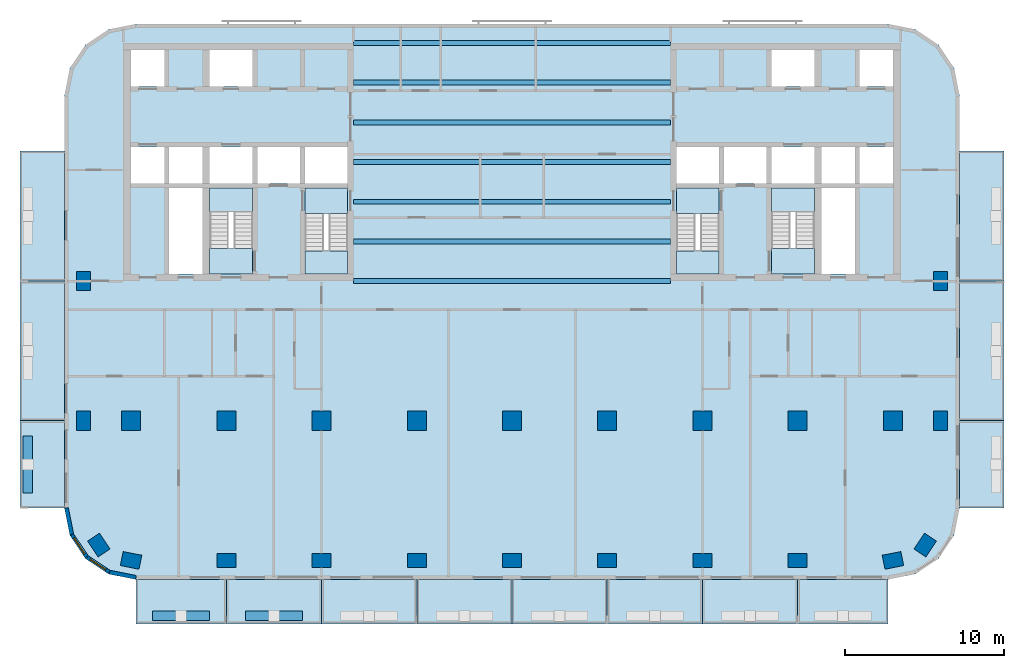
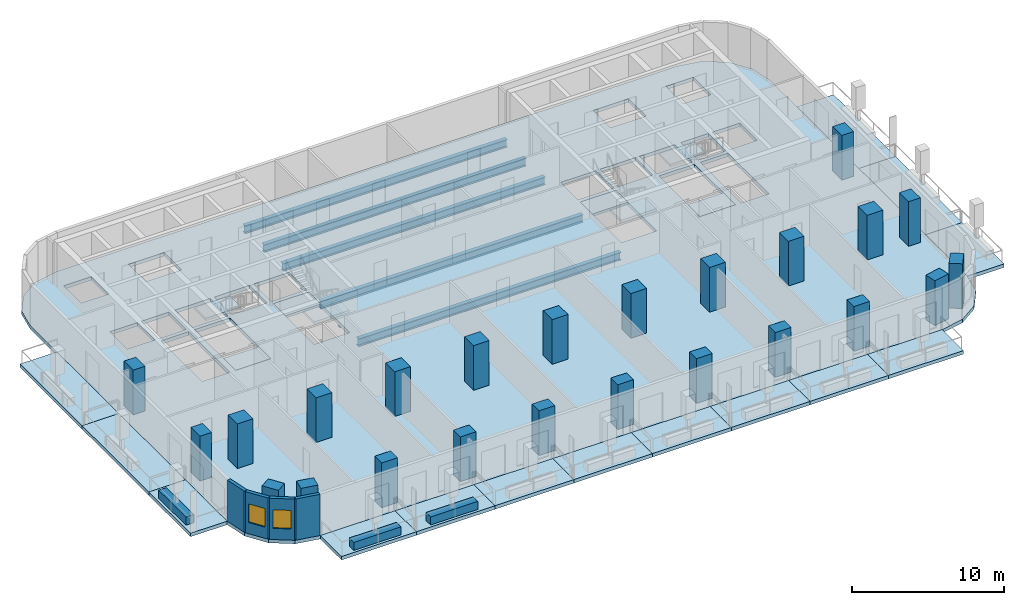
# One storey, part 1 of 11: 24 columns, 23 slabs, 7 beams, 7 walls, 2 windows, 2 openings, 4 elements without a shape of their own.
"""IFC4 building model written with IfcOpenShell, lengths in metres."""

import ifcopenshell
import ifcopenshell.guid

model = None  # the IFC model being written
_history = None  # IfcOwnerHistory: only IFC2X3 demands one
_inside = {}  # id of a spatial element -> (the spatial element, [elements in it])
_under = {}  # id of a project, library or spatial element -> (it, [spatial elements below it])
_declared = {}  # id of a project -> (the project, [libraries it declares])
_typed = {}  # id of a type object -> (the type object, [elements of that type])
_made_of = {}  # id of a material, layer set ... -> (it, [elements and type objects made of it])


def new_model(schema):
    """Start an empty IFC model of exactly this schema.

    Asked for "IFC4X3", IfcOpenShell would pick the latest addendum, in which some entities
    have other attributes; the version numbers below select the first issue.
    IFC2X3 requires an IfcOwnerHistory on every rooted entity: one is made here for all.
    """
    global model, _history
    if schema == "IFC4X3":
        model = ifcopenshell.file(schema_version=(4, 3, 0, 0))
    else:
        model = ifcopenshell.file(schema=schema)
    _inside.clear()
    _under.clear()
    _declared.clear()
    _typed.clear()
    _made_of.clear()
    _history = None
    if model.schema == "IFC2X3":
        org = make("IfcOrganization", Name="unknown")
        user = make(
            "IfcPersonAndOrganization",
            ThePerson=make("IfcPerson", FamilyName="unknown"),
            TheOrganization=org,
        )
        app = make(
            "IfcApplication",
            ApplicationDeveloper=org,
            Version="unknown",
            ApplicationFullName="unknown",
            ApplicationIdentifier="unknown",
        )
        _history = make(
            "IfcOwnerHistory",
            OwningUser=user,
            OwningApplication=app,
            ChangeAction="ADDED",
            CreationDate=0,
        )
    return model


def make(cls, **values):
    """One entity of the class cls with the attributes given. An attribute that is None is left unset."""
    return model.create_entity(
        cls, **{name: value for name, value in values.items() if value is not None}
    )


def rooted(cls, **values):
    """An entity with a GlobalId (a new one), such as an element, a storey or a relation."""
    return make(cls, GlobalId=ifcopenshell.guid.new(), OwnerHistory=_history, **values)


def si_unit(unit_type, name, prefix=None):
    """IfcSIUnit, for example si_unit("LENGTHUNIT", "METRE", prefix="MILLI")."""
    return make("IfcSIUnit", UnitType=unit_type, Prefix=prefix, Name=name)


def assignment(units):
    """IfcUnitAssignment: the units of a project."""
    return None if units is None else make("IfcUnitAssignment", Units=units)


def point(xyz):
    """IfcCartesianPoint."""
    return None if xyz is None else make("IfcCartesianPoint", Coordinates=xyz)


def direction(xyz):
    """IfcDirection."""
    return None if xyz is None else make("IfcDirection", DirectionRatios=xyz)


def frame(location, z_axis=None, x_axis=None):
    """IfcAxis2Placement3D, a coordinate frame: its origin and axes. An axis left out is left unset."""
    return make(
        "IfcAxis2Placement3D",
        Location=point(location),
        Axis=direction(z_axis),
        RefDirection=direction(x_axis),
    )


def frame_2d(location, x_axis=None):
    """IfcAxis2Placement2D, a coordinate frame in the plane: its origin and x axis."""
    return make(
        "IfcAxis2Placement2D", Location=point(location), RefDirection=direction(x_axis)
    )


def origin():
    """The frame at (0, 0, 0) with its axes left unset."""
    return frame((0.0, 0.0, 0.0))


def origin_2d():
    """The frame at (0, 0) in the plane with its x axis left unset."""
    return frame_2d((0.0, 0.0))


def place(relative_to, where):
    """IfcLocalPlacement: puts the frame where relative to a parent placement (None: the world)."""
    return make(
        "IfcLocalPlacement", PlacementRelTo=relative_to, RelativePlacement=where
    )


def context(
    kind, dimensions, precision=None, world=None, true_north=None, identifier=None
):
    """IfcGeometricRepresentationContext, for example the 3D "Model" context."""
    return make(
        "IfcGeometricRepresentationContext",
        ContextIdentifier=identifier,
        ContextType=kind,
        CoordinateSpaceDimension=dimensions,
        Precision=precision,
        WorldCoordinateSystem=world,
        TrueNorth=true_north,
    )


def subcontext(parent, identifier, kind, view, scale=None):
    """IfcGeometricRepresentationSubContext, for example "Body" below "Model"."""
    return make(
        "IfcGeometricRepresentationSubContext",
        ContextIdentifier=identifier,
        ContextType=kind,
        ParentContext=parent,
        TargetScale=scale,
        TargetView=view,
    )


def project(units=None, contexts=None):
    """IfcProject with its units and contexts."""
    return rooted(
        "IfcProject",
        Name="project",
        RepresentationContexts=contexts,
        UnitsInContext=assignment(units),
    )


def spatial(cls, under=None, at=None, **own):
    """A site, building, storey or space (cls), placed at a placement, below another one or the project."""
    s = rooted(cls, ObjectPlacement=at, **own)
    if under is not None:
        _under.setdefault(under.id(), (under, []))[1].append(s)
    return s


def polyline(points):
    """IfcPolyline through the points."""
    return make("IfcPolyline", Points=[point(p) for p in points])


def profile(cls, at=None, kind="AREA", **sizes):
    """A parametric profile (cls). Its sizes go by their IFC names, for example OverallWidth=200.0."""
    return make(cls, ProfileType=kind, Position=at, **sizes)


def rectangle(**sizes):
    """IfcRectangleProfileDef."""
    return profile("IfcRectangleProfileDef", **sizes)


def i_section(**sizes):
    """IfcIShapeProfileDef."""
    return profile("IfcIShapeProfileDef", **sizes)


def outline(outer, holes=None, kind="AREA"):
    """IfcArbitraryClosedProfileDef: a profile drawn as a closed curve; with holes, ...WithVoids."""
    if holes is None:
        return make("IfcArbitraryClosedProfileDef", ProfileType=kind, OuterCurve=outer)
    return make(
        "IfcArbitraryProfileDefWithVoids",
        ProfileType=kind,
        OuterCurve=outer,
        InnerCurves=holes,
    )


def extrude(swept, where, along, depth):
    """IfcExtrudedAreaSolid: the profile swept, set in the frame where, extruded along a direction by depth."""
    return make(
        "IfcExtrudedAreaSolid",
        SweptArea=swept,
        Position=where,
        ExtrudedDirection=direction(along),
        Depth=depth,
    )


def shape(context_of_items, identifier, shape_type, items):
    """IfcShapeRepresentation: the items that make up one representation, for example the "Body"."""
    return make(
        "IfcShapeRepresentation",
        ContextOfItems=context_of_items,
        RepresentationIdentifier=identifier,
        RepresentationType=shape_type,
        Items=items,
    )


def material(Name=None, Category=None):
    """IfcMaterial."""
    return make("IfcMaterial", Name=Name, Category=Category)


def layer(
    of_material, thickness, ventilated=None, Name=None, Category=None, Priority=None
):
    """IfcMaterialLayer: one layer of a wall or slab, of a material (None: an air gap)."""
    return make(
        "IfcMaterialLayer",
        Material=of_material,
        LayerThickness=thickness,
        IsVentilated=ventilated,
        Name=Name,
        Category=Category,
        Priority=Priority,
    )


def layer_set(layers, Name=None):
    """IfcMaterialLayerSet."""
    return make("IfcMaterialLayerSet", MaterialLayers=layers, LayerSetName=Name)


def material_profile(
    of_material, cross_section, Name=None, Category=None, Priority=None
):
    """IfcMaterialProfile: a cross section and its material."""
    return make(
        "IfcMaterialProfile",
        Name=Name,
        Material=of_material,
        Profile=cross_section,
        Priority=Priority,
        Category=Category,
    )


def profile_set(profiles, Name=None, composite=None):
    """IfcMaterialProfileSet."""
    return make(
        "IfcMaterialProfileSet",
        Name=Name,
        MaterialProfiles=profiles,
        CompositeProfile=composite,
    )


def made_of(thing, what):
    """Note that an element or type object is made of a material, layer set ...; save() writes the relation."""
    if what is not None:
        _made_of.setdefault(what.id(), (what, []))[1].append(thing)
    return thing


def type_object(cls, material=None, **own):
    """A type object (cls), such as IfcWallType, which elements share."""
    return made_of(rooted(cls, **own), material)


def element(
    cls,
    number,
    at=None,
    inside=None,
    cuts=None,
    type_object=None,
    material=None,
    context=None,
    identifier="Body",
    shape_type=None,
    held_by="IfcProductDefinitionShape",
    body=None,
    shapes=None,
    **own,
):
    """One element of the class cls, such as IfcWall. Its Tag is "e" and its number.

    at: its placement. inside: the storey or other place that contains it. cuts: it is an
    opening in that element (IfcRelVoidsElement). A single representation is given by context,
    identifier, shape_type and body (its items); several are given by shapes. held_by: the class
    of the entity that holds the representations. save() writes the other relations.
    """
    e = rooted(cls, Tag="e%d" % number, ObjectPlacement=at, **own)
    if body is not None:
        shapes = [shape(context, identifier, shape_type, body)]
    if shapes is not None:
        e.Representation = make(held_by, Representations=shapes)
    if inside is not None:
        _inside.setdefault(inside.id(), (inside, []))[1].append(e)
    if cuts is not None:
        rooted(
            "IfcRelVoidsElement", RelatingBuildingElement=cuts, RelatedOpeningElement=e
        )
    if type_object is not None:
        _typed.setdefault(type_object.id(), (type_object, []))[1].append(e)
    return made_of(e, material)


def fill(opening, filler):
    """IfcRelFillsElement: the door or window that sits in an opening."""
    return rooted(
        "IfcRelFillsElement",
        RelatingOpeningElement=opening,
        RelatedBuildingElement=filler,
    )


def aggregate(whole, parts):
    """IfcRelAggregates: a whole, such as a stair, and the parts it consists of."""
    return rooted("IfcRelAggregates", RelatingObject=whole, RelatedObjects=parts)


def save(model, path):
    """Write the relations noted so far, then the file.

    IfcRelAggregates (storeys below a building ...), IfcRelContainedInSpatialStructure (elements
    in a storey), IfcRelDefinesByType, IfcRelAssociatesMaterial and IfcRelDeclares: one each for
    every whole, place, type object, material and project.
    """
    for whole, parts in _under.values():
        aggregate(whole, parts)
    for where, things in _inside.values():
        rooted(
            "IfcRelContainedInSpatialStructure",
            RelatedElements=things,
            RelatingStructure=where,
        )
    for kind, things in _typed.values():
        rooted("IfcRelDefinesByType", RelatedObjects=things, RelatingType=kind)
    for what, things in _made_of.values():
        rooted("IfcRelAssociatesMaterial", RelatedObjects=things, RelatingMaterial=what)
    for by, libraries in _declared.values():
        rooted("IfcRelDeclares", RelatingContext=by, RelatedDefinitions=libraries)
    model.write(path)


model = new_model("IFC4")

# Units and contexts
model_context = context("Model", 3, precision=1e-05, world=origin(), true_north=direction((0.0, 1.0)))
body_context = subcontext(model_context, "Body", "Model", "MODEL_VIEW")
ifc_project = project(units=[si_unit("LENGTHUNIT", "METRE"), si_unit("AREAUNIT", "SQUARE_METRE"), si_unit("VOLUMEUNIT", "CUBIC_METRE"), si_unit("PLANEANGLEUNIT", "RADIAN"), si_unit("MASSUNIT", "GRAM", prefix="KILO")], contexts=[model_context])

# Site, building, storey
site_placement = place(None, origin())
site = spatial("IfcSite", under=ifc_project, at=site_placement, CompositionType="ELEMENT")
building_placement = place(site_placement, origin())
building = spatial("IfcBuilding", under=site, at=building_placement, Name="Torana Hotel and Residences", CompositionType="ELEMENT")
storey_placement = place(building_placement, frame((0.0, 0.0, 148.800048828125)))
storey = spatial("IfcBuildingStorey", under=building, at=storey_placement, Name="L38", CompositionType="ELEMENT", Elevation=148.800048828125)

# Columns
ifc_material_1 = material(Name="Concrete C70/85", Category="concrete")
ifc_material_profile_1 = material_profile(ifc_material_1, rectangle(XDim=1.199951171875, YDim=1.199951171875, at=origin_2d()), Name="RC 1200x1200")
ifc_profile_set_1 = profile_set([ifc_material_profile_1], Name="Concrete C70/85")
column_type_1 = type_object("IfcColumnType", Name="COLUMN RC 1200x1200 C70/85", PredefinedType="COLUMN", material=ifc_profile_set_1)
for number, where, z_axis, x_axis, name in (
    (1, (-24.0, -23.800048828125, 0.0), (0.0, 0.0, 1.0), (1.0, 0.0, 0.0), "Column L38"),
    (2, (-18.0, -23.800048828125, 0.0), (0.0, 0.0, 1.0), (1.0, 0.0, 0.0), "Column L38"),
    (3, (-12.0, -23.800048828125, 0.0), (0.0, 0.0, 1.0), (1.0, 0.0, 0.0), "Column L38"),
    (4, (-6.0, -23.800048828125, 0.0), (0.0, 0.0, 1.0), (1.0, 0.0, 0.0), "Column L38"),
    (5, (0.0, -23.800048828125, 0.0), (0.0, 0.0, 1.0), (1.0, 0.0, 0.0), "Column L38"),
    (6, (6.0, -23.800048828125, 0.0), (0.0, 0.0, 1.0), (1.0, 0.0, 0.0), "Column L38"),
    (7, (12.0, -23.800048828125, 0.0), (0.0, 0.0, 1.0), (1.0, 0.0, 0.0), "Column L38"),
    (8, (18.0, -23.800048828125, 0.0), (0.0, 0.0, 1.0), (1.0, 0.0, 0.0), "Column L38"),
    (9, (24.0, -23.800048828125, 0.0), (0.0, 0.0, 1.0), (1.0, 0.0, 0.0), "Column L38"),
):
    element("IfcColumn", number, at=place(storey_placement, frame(where, z_axis=z_axis, x_axis=x_axis)), inside=storey, type_object=column_type_1, Name=name, PredefinedType="COLUMN", context=body_context, shape_type="SweptSolid", body=[
        extrude(rectangle(XDim=1.199951171875, YDim=1.199951171875, at=origin_2d()), origin(), (0.0, 0.0, 1.0), 3.599853515625),
    ])
ifc_material_2 = material(Name="Concrete C70/85", Category="concrete")
ifc_material_profile_2 = material_profile(ifc_material_2, rectangle(XDim=1.199951171875, YDim=0.89990234375, at=origin_2d()), Name="RC 1200x900")
ifc_profile_set_2 = profile_set([ifc_material_profile_2], Name="Concrete C70/85")
column_type_2 = type_object("IfcColumnType", Name="COLUMN RC 1200x900 C70/85", PredefinedType="COLUMN", material=ifc_profile_set_2)
for number, where, z_axis, x_axis, name in (
    (10, (-27.0, -23.800048828125, 0.0), (0.0, 0.0, 1.0), (0.0, 1.0, 0.0), "Column L38"),
    (11, (-27.0, -15.0, 0.0), (0.0, 0.0, 1.0), (0.0, 1.0, 0.0), "Column L38"),
    (12, (-26.032958984375, -31.633056640625, 0.0), (0.0, 0.0, 1.0), (-0.555584744817, 0.831459915646, 0.0), "Column L38"),
    (13, (-24.0, -32.60009765625, 0.0), (0.0, 0.0, 1.0), (-0.980792089743, 0.195056086032, 0.0), "Column L38"),
    (14, (-18.0, -32.60009765625, 0.0), (0.0, 0.0, 1.0), (1.0, 0.0, 0.0), "Column L38"),
    (15, (-12.0, -32.60009765625, 0.0), (0.0, 0.0, 1.0), (1.0, 0.0, 0.0), "Column L38"),
    (16, (-6.0, -32.60009765625, 0.0), (0.0, 0.0, 1.0), (1.0, 0.0, 0.0), "Column L38"),
    (17, (0.0, -32.60009765625, 0.0), (0.0, 0.0, 1.0), (1.0, 0.0, 0.0), "Column L38"),
    (18, (6.0, -32.60009765625, 0.0), (0.0, 0.0, 1.0), (1.0, 0.0, 0.0), "Column L38"),
    (19, (12.0, -32.60009765625, 0.0), (0.0, 0.0, 1.0), (1.0, 0.0, 0.0), "Column L38"),
    (20, (18.0, -32.60009765625, 0.0), (0.0, 0.0, 1.0), (1.0, 0.0, 0.0), "Column L38"),
    (21, (24.0, -32.60009765625, 0.0), (0.0, 0.0, 1.0), (0.980792089743, 0.195056086032, 0.0), "Column L38"),
    (22, (26.032958984375, -31.633056640625, 0.0), (0.0, 0.0, 1.0), (0.555584744817, 0.831459915646, 0.0), "Column L38"),
    (23, (27.0, -23.800048828125, 0.0), (0.0, 0.0, 1.0), (0.0, 1.0, 0.0), "Column L38"),
    (24, (27.0, -15.0, 0.0), (0.0, 0.0, 1.0), (0.0, 1.0, 0.0), "Column L38"),
):
    element("IfcColumn", number, at=place(storey_placement, frame(where, z_axis=z_axis, x_axis=x_axis)), inside=storey, type_object=column_type_2, Name=name, PredefinedType="COLUMN", context=body_context, shape_type="SweptSolid", body=[
        extrude(rectangle(XDim=1.199951171875, YDim=0.89990234375, at=origin_2d()), origin(), (0.0, 0.0, 1.0), 3.599853515625),
    ])

# Beams
ifc_material_3 = material(Name="Steel S355", Category="steel")
ifc_material_profile_3 = material_profile(ifc_material_3, i_section(OverallWidth=0.311279296875, OverallDepth=0.6357421875, WebThickness=0.018310546875, FlangeThickness=0.031494140625, FilletRadius=0.0166015625, at=origin_2d()), Name="610x305x238 UB")
ifc_profile_set_3 = profile_set([ifc_material_profile_3], Name="Steel S355")
beam_type = type_object("IfcBeamType", Name="STEEL GIRDER 610x305x238 UB", PredefinedType="BEAM", material=ifc_profile_set_3)
for number, where, z_axis, x_axis, name in (
    (25, (-10.0, -15.0, -0.597900390625), (1.0, 0.0, 0.0), (0.0, 1.0, 0.0), "Floor girder"),
    (26, (-10.0, -12.5, -0.597900390625), (1.0, 0.0, 0.0), (0.0, 1.0, 0.0), "Floor girder"),
    (27, (-10.0, -10.0, -0.597900390625), (1.0, 0.0, 0.0), (0.0, 1.0, 0.0), "Floor girder"),
    (28, (-10.0, -7.5, -0.597900390625), (1.0, 0.0, 0.0), (0.0, 1.0, 0.0), "Floor girder"),
    (29, (-10.0, -5.0, -0.597900390625), (1.0, 0.0, 0.0), (0.0, 1.0, 0.0), "Floor girder"),
    (30, (-10.0, -2.5, -0.597900390625), (1.0, 0.0, 0.0), (0.0, 1.0, 0.0), "Floor girder"),
    (31, (-10.0, 0.0, -0.597900390625), (1.0, 0.0, 0.0), (0.0, 1.0, 0.0), "Floor girder"),
):
    element("IfcBeam", number, at=place(storey_placement, frame(where, z_axis=z_axis, x_axis=x_axis)), inside=storey, type_object=beam_type, Name=name, PredefinedType="BEAM", context=body_context, shape_type="SweptSolid", body=[
        extrude(i_section(OverallWidth=0.311279296875, OverallDepth=0.6357421875, WebThickness=0.018310546875, FlangeThickness=0.031494140625, FilletRadius=0.0166015625, at=origin_2d()), origin(), (0.0, 0.0, 1.0), 20.0),
    ])

# Slabs
ifc_material_4 = material(Name="Concrete C40/50", Category="concrete")
ifc_layer_1 = layer(ifc_material_4, 0.280029296875)
ifc_layer_set_1 = layer_set([ifc_layer_1], Name="BAL1 BALCONY SLAB 280")
slab_type_1 = type_object("IfcSlabType", Name="BAL1 BALCONY SLAB 280", PredefinedType="USERDEFINED", material=ifc_layer_set_1)
slab_1_placement = place(storey_placement, frame((0.0, 0.0, -0.280029296875)))
element("IfcSlab", 32, at=slab_1_placement, inside=storey, type_object=slab_type_1, Name="Balcony 01", ObjectType="BALCONY", PredefinedType="USERDEFINED", context=body_context, shape_type="SweptSolid", body=[
    extrude(outline(polyline([(-23.699951171875, -36.60009765625), (-18.0, -36.60009765625), (-18.0, -33.800048828125), (-23.699951171875, -33.800048828125), (-23.699951171875, -36.60009765625)])), origin(), (0.0, 0.0, 1.0), 0.280029296875),
])
slab_2_placement = place(storey_placement, frame((0.0, 0.0, -0.280029296875)))
element("IfcSlab", 33, at=slab_2_placement, inside=storey, type_object=slab_type_1, Name="Balcony 02", ObjectType="BALCONY", PredefinedType="USERDEFINED", context=body_context, shape_type="SweptSolid", body=[
    extrude(outline(polyline([(-18.0, -36.60009765625), (-12.0, -36.60009765625), (-12.0, -33.800048828125), (-18.0, -33.800048828125), (-18.0, -36.60009765625)])), origin(), (0.0, 0.0, 1.0), 0.280029296875),
])
slab_3_placement = place(storey_placement, frame((0.0, 0.0, -0.280029296875)))
element("IfcSlab", 34, at=slab_3_placement, inside=storey, type_object=slab_type_1, Name="Balcony 03", ObjectType="BALCONY", PredefinedType="USERDEFINED", context=body_context, shape_type="SweptSolid", body=[
    extrude(outline(polyline([(-12.0, -36.60009765625), (-6.0, -36.60009765625), (-6.0, -33.800048828125), (-12.0, -33.800048828125), (-12.0, -36.60009765625)])), origin(), (0.0, 0.0, 1.0), 0.280029296875),
])
slab_4_placement = place(storey_placement, frame((0.0, 0.0, -0.280029296875)))
element("IfcSlab", 35, at=slab_4_placement, inside=storey, type_object=slab_type_1, Name="Balcony 04", ObjectType="BALCONY", PredefinedType="USERDEFINED", context=body_context, shape_type="SweptSolid", body=[
    extrude(outline(polyline([(-6.0, -36.60009765625), (0.0, -36.60009765625), (0.0, -33.800048828125), (-6.0, -33.800048828125), (-6.0, -36.60009765625)])), origin(), (0.0, 0.0, 1.0), 0.280029296875),
])
slab_5_placement = place(storey_placement, frame((0.0, 0.0, -0.280029296875)))
element("IfcSlab", 36, at=slab_5_placement, inside=storey, type_object=slab_type_1, Name="Balcony 05", ObjectType="BALCONY", PredefinedType="USERDEFINED", context=body_context, shape_type="SweptSolid", body=[
    extrude(outline(polyline([(0.0, -36.60009765625), (6.0, -36.60009765625), (6.0, -33.800048828125), (0.0, -33.800048828125), (0.0, -36.60009765625)])), origin(), (0.0, 0.0, 1.0), 0.280029296875),
])
slab_6_placement = place(storey_placement, frame((0.0, 0.0, -0.280029296875)))
element("IfcSlab", 37, at=slab_6_placement, inside=storey, type_object=slab_type_1, Name="Balcony 06", ObjectType="BALCONY", PredefinedType="USERDEFINED", context=body_context, shape_type="SweptSolid", body=[
    extrude(outline(polyline([(6.0, -36.60009765625), (12.0, -36.60009765625), (12.0, -33.800048828125), (6.0, -33.800048828125), (6.0, -36.60009765625)])), origin(), (0.0, 0.0, 1.0), 0.280029296875),
])
slab_7_placement = place(storey_placement, frame((0.0, 0.0, -0.280029296875)))
element("IfcSlab", 38, at=slab_7_placement, inside=storey, type_object=slab_type_1, Name="Balcony 07", ObjectType="BALCONY", PredefinedType="USERDEFINED", context=body_context, shape_type="SweptSolid", body=[
    extrude(outline(polyline([(12.0, -36.60009765625), (18.0, -36.60009765625), (18.0, -33.800048828125), (12.0, -33.800048828125), (12.0, -36.60009765625)])), origin(), (0.0, 0.0, 1.0), 0.280029296875),
])
slab_8_placement = place(storey_placement, frame((0.0, 0.0, -0.280029296875)))
element("IfcSlab", 39, at=slab_8_placement, inside=storey, type_object=slab_type_1, Name="Balcony 08", ObjectType="BALCONY", PredefinedType="USERDEFINED", context=body_context, shape_type="SweptSolid", body=[
    extrude(outline(polyline([(18.0, -36.60009765625), (23.699951171875, -36.60009765625), (23.699951171875, -33.800048828125), (18.0, -33.800048828125), (18.0, -36.60009765625)])), origin(), (0.0, 0.0, 1.0), 0.280029296875),
])
slab_9_placement = place(storey_placement, frame((0.0, 0.0, -0.280029296875)))
element("IfcSlab", 40, at=slab_9_placement, inside=storey, type_object=slab_type_1, Name="Balcony 09", ObjectType="BALCONY", PredefinedType="USERDEFINED", context=body_context, shape_type="SweptSolid", body=[
    extrude(outline(polyline([(-31.0, -29.300048828125), (-28.199951171875, -29.300048828125), (-28.199951171875, -23.800048828125), (-31.0, -23.800048828125), (-31.0, -29.300048828125)])), origin(), (0.0, 0.0, 1.0), 0.280029296875),
])
slab_10_placement = place(storey_placement, frame((0.0, 0.0, -0.280029296875)))
element("IfcSlab", 41, at=slab_10_placement, inside=storey, type_object=slab_type_1, Name="Balcony 10", ObjectType="BALCONY", PredefinedType="USERDEFINED", context=body_context, shape_type="SweptSolid", body=[
    extrude(outline(polyline([(-31.0, -23.800048828125), (-28.199951171875, -23.800048828125), (-28.199951171875, -15.0), (-31.0, -15.0), (-31.0, -23.800048828125)])), origin(), (0.0, 0.0, 1.0), 0.280029296875),
])
slab_11_placement = place(storey_placement, frame((0.0, 0.0, -0.280029296875)))
element("IfcSlab", 42, at=slab_11_placement, inside=storey, type_object=slab_type_1, Name="Balcony 11", ObjectType="BALCONY", PredefinedType="USERDEFINED", context=body_context, shape_type="SweptSolid", body=[
    extrude(outline(polyline([(-31.0, -15.0), (-28.199951171875, -15.0), (-28.199951171875, -6.800048828125), (-31.0, -6.800048828125), (-31.0, -15.0)])), origin(), (0.0, 0.0, 1.0), 0.280029296875),
])
slab_12_placement = place(storey_placement, frame((0.0, 0.0, -0.280029296875)))
element("IfcSlab", 43, at=slab_12_placement, inside=storey, type_object=slab_type_1, Name="Balcony 12", ObjectType="BALCONY", PredefinedType="USERDEFINED", context=body_context, shape_type="SweptSolid", body=[
    extrude(outline(polyline([(28.199951171875, -29.300048828125), (31.0, -29.300048828125), (31.0, -23.800048828125), (28.199951171875, -23.800048828125), (28.199951171875, -29.300048828125)])), origin(), (0.0, 0.0, 1.0), 0.280029296875),
])
slab_13_placement = place(storey_placement, frame((0.0, 0.0, -0.280029296875)))
element("IfcSlab", 44, at=slab_13_placement, inside=storey, type_object=slab_type_1, Name="Balcony 13", ObjectType="BALCONY", PredefinedType="USERDEFINED", context=body_context, shape_type="SweptSolid", body=[
    extrude(outline(polyline([(28.199951171875, -23.800048828125), (31.0, -23.800048828125), (31.0, -15.0), (28.199951171875, -15.0), (28.199951171875, -23.800048828125)])), origin(), (0.0, 0.0, 1.0), 0.280029296875),
])
slab_14_placement = place(storey_placement, frame((0.0, 0.0, -0.280029296875)))
element("IfcSlab", 45, at=slab_14_placement, inside=storey, type_object=slab_type_1, Name="Balcony 14", ObjectType="BALCONY", PredefinedType="USERDEFINED", context=body_context, shape_type="SweptSolid", body=[
    extrude(outline(polyline([(28.199951171875, -15.0), (31.0, -15.0), (31.0, -6.800048828125), (28.199951171875, -6.800048828125), (28.199951171875, -15.0)])), origin(), (0.0, 0.0, 1.0), 0.280029296875),
])
ifc_material_5 = material(Name="Concrete C40/50", Category="concrete")
ifc_layer_2 = layer(ifc_material_5, 0.280029296875)
ifc_layer_set_2 = layer_set([ifc_layer_2], Name="FLOOR SLAB PT 280")
slab_type_2 = type_object("IfcSlabType", Name="FLOOR SLAB PT 280", PredefinedType="FLOOR", material=ifc_layer_set_2)
slab_15_placement = place(storey_placement, frame((0.0, 0.0, -0.280029296875)))
element("IfcSlab", 46, at=slab_15_placement, inside=storey, type_object=slab_type_2, Name="Floor slab", PredefinedType="FLOOR", context=body_context, shape_type="SweptSolid", body=[
    extrude(outline(polyline([(28.199951171875, -3.300048828125), (27.857421875, -1.577880859375), (26.882080078125, -0.117919921875), (25.422119140625, 0.857421875), (23.699951171875, 1.199951171875), (-23.699951171875, 1.199951171875), (-25.422119140625, 0.857421875), (-26.882080078125, -0.117919921875), (-27.857421875, -1.577880859375), (-28.199951171875, -3.300048828125), (-28.199951171875, -29.300048828125), (-27.857421875, -31.022216796875), (-26.882080078125, -32.48193359375), (-25.422119140625, -33.45751953125), (-23.699951171875, -33.800048828125), (23.699951171875, -33.800048828125), (25.422119140625, -33.45751953125), (26.882080078125, -32.48193359375), (27.857421875, -31.022216796875), (28.199951171875, -29.300048828125), (28.199951171875, -3.300048828125)]), holes=[polyline([(-13.050048828125, -14.550048828125), (-10.35009765625, -14.550048828125), (-10.35009765625, -9.14990234375), (-13.050048828125, -9.14990234375), (-13.050048828125, -14.550048828125)]), polyline([(-19.050048828125, -14.550048828125), (-16.35009765625, -14.550048828125), (-16.35009765625, -9.14990234375), (-19.050048828125, -9.14990234375), (-19.050048828125, -14.550048828125)]), polyline([(-19.050048828125, -2.75), (-16.35009765625, -2.75), (-16.35009765625, -0.449951171875), (-19.050048828125, -0.449951171875), (-19.050048828125, -2.75)]), polyline([(-21.60009765625, -8.85009765625), (-19.5, -8.85009765625), (-19.5, -6.550048828125), (-21.60009765625, -6.550048828125), (-21.60009765625, -8.85009765625)]), polyline([(-24.0, -2.75), (-21.89990234375, -2.75), (-21.89990234375, -0.449951171875), (-24.0, -0.449951171875), (-24.0, -2.75)]), polyline([(-24.0, -8.85009765625), (-21.89990234375, -8.85009765625), (-21.89990234375, -6.550048828125), (-24.0, -6.550048828125), (-24.0, -8.85009765625)]), polyline([(-13.050048828125, -8.85009765625), (-10.35009765625, -8.85009765625), (-10.35009765625, -6.550048828125), (-13.050048828125, -6.550048828125), (-13.050048828125, -8.85009765625)]), polyline([(-16.050048828125, -8.85009765625), (-13.35009765625, -8.85009765625), (-13.35009765625, -6.550048828125), (-16.050048828125, -6.550048828125), (-16.050048828125, -8.85009765625)]), polyline([(-19.050048828125, -8.85009765625), (-16.35009765625, -8.85009765625), (-16.35009765625, -6.550048828125), (-19.050048828125, -6.550048828125), (-19.050048828125, -8.85009765625)]), polyline([(-21.60009765625, -14.550048828125), (-19.5, -14.550048828125), (-19.5, -9.14990234375), (-21.60009765625, -9.14990234375), (-21.60009765625, -14.550048828125)]), polyline([(10.35009765625, -14.550048828125), (13.050048828125, -14.550048828125), (13.050048828125, -9.14990234375), (10.35009765625, -9.14990234375), (10.35009765625, -14.550048828125)]), polyline([(16.35009765625, -14.550048828125), (19.050048828125, -14.550048828125), (19.050048828125, -9.14990234375), (16.35009765625, -9.14990234375), (16.35009765625, -14.550048828125)]), polyline([(16.35009765625, -2.75), (19.050048828125, -2.75), (19.050048828125, -0.449951171875), (16.35009765625, -0.449951171875), (16.35009765625, -2.75)]), polyline([(19.5, -8.85009765625), (21.60009765625, -8.85009765625), (21.60009765625, -6.550048828125), (19.5, -6.550048828125), (19.5, -8.85009765625)]), polyline([(21.89990234375, -2.75), (24.0, -2.75), (24.0, -0.449951171875), (21.89990234375, -0.449951171875), (21.89990234375, -2.75)]), polyline([(21.89990234375, -8.85009765625), (24.0, -8.85009765625), (24.0, -6.550048828125), (21.89990234375, -6.550048828125), (21.89990234375, -8.85009765625)]), polyline([(10.35009765625, -8.85009765625), (13.050048828125, -8.85009765625), (13.050048828125, -6.550048828125), (10.35009765625, -6.550048828125), (10.35009765625, -8.85009765625)]), polyline([(13.35009765625, -8.85009765625), (16.050048828125, -8.85009765625), (16.050048828125, -6.550048828125), (13.35009765625, -6.550048828125), (13.35009765625, -8.85009765625)]), polyline([(16.35009765625, -8.85009765625), (19.050048828125, -8.85009765625), (19.050048828125, -6.550048828125), (16.35009765625, -6.550048828125), (16.35009765625, -8.85009765625)]), polyline([(19.5, -14.550048828125), (21.60009765625, -14.550048828125), (21.60009765625, -9.14990234375), (19.5, -9.14990234375), (19.5, -14.550048828125)])]), origin(), (0.0, 0.0, 1.0), 0.280029296875),
])

# Stair, slabs
ifc_material_6 = material(Name="Concrete C40/50 precast", Category="concrete")
stair_type_1 = type_object("IfcStairType", Name="STAIR ST1 HALF TURN 1200", PredefinedType="HALF_TURN_STAIR", material=ifc_material_6)
stair_1_placement = place(storey_placement, origin())
stair_1 = element("IfcStair", 47, at=stair_1_placement, inside=storey, type_object=stair_type_1, Name="Stair ST1 L38", PredefinedType="HALF_TURN_STAIR")
ifc_material_7 = material(Name="Concrete C40/50 precast", Category="concrete")
ifc_layer_3 = layer(ifc_material_7, 0.199951171875)
ifc_layer_set_3 = layer_set([ifc_layer_3], Name="STAIR LANDING 200")
slab_type_3 = type_object("IfcSlabType", Name="STAIR LANDING 200", PredefinedType="LANDING", material=ifc_layer_set_3)
slab_16_placement = place(storey_placement, frame((0.0, 0.0, 1.599853515625)))
slab_16 = element("IfcSlab", 48, at=slab_16_placement, type_object=slab_type_3, Name="ST1 landing 1", PredefinedType="LANDING", context=body_context, shape_type="SweptSolid", body=[
    extrude(outline(polyline([(-13.050048828125, -14.550048828125), (-10.35009765625, -14.550048828125), (-10.35009765625, -13.090087890625), (-13.050048828125, -13.090087890625), (-13.050048828125, -14.550048828125)])), origin(), (0.0, 0.0, 1.0), 0.2001953125),
])
slab_17_placement = place(storey_placement, frame((0.0, 0.0, -0.199951171875)))
slab_17 = element("IfcSlab", 49, at=slab_17_placement, type_object=slab_type_3, Name="ST1 landing 2", PredefinedType="LANDING", context=body_context, shape_type="SweptSolid", body=[
    extrude(outline(polyline([(-13.050048828125, -10.75), (-10.35009765625, -10.75), (-10.35009765625, -9.14990234375), (-13.050048828125, -9.14990234375), (-13.050048828125, -10.75)])), origin(), (0.0, 0.0, 1.0), 0.199951171875),
])
aggregate(stair_1, [slab_16, slab_17])

ifc_material_8 = material(Name="Concrete C40/50 precast", Category="concrete")
stair_type_2 = type_object("IfcStairType", Name="STAIR ST2 HALF TURN 1200", PredefinedType="HALF_TURN_STAIR", material=ifc_material_8)
stair_2_placement = place(storey_placement, origin())
stair_2 = element("IfcStair", 50, at=stair_2_placement, inside=storey, type_object=stair_type_2, Name="Stair ST2 L38", PredefinedType="HALF_TURN_STAIR")
slab_18_placement = place(storey_placement, frame((0.0, 0.0, 1.599853515625)))
slab_18 = element("IfcSlab", 51, at=slab_18_placement, type_object=slab_type_3, Name="ST2 landing 1", PredefinedType="LANDING", context=body_context, shape_type="SweptSolid", body=[
    extrude(outline(polyline([(-19.050048828125, -10.610107421875), (-16.35009765625, -10.610107421875), (-16.35009765625, -9.14990234375), (-19.050048828125, -9.14990234375), (-19.050048828125, -10.610107421875)])), origin(), (0.0, 0.0, 1.0), 0.2001953125),
])
slab_19_placement = place(storey_placement, frame((0.0, 0.0, -0.199951171875)))
slab_19 = element("IfcSlab", 52, at=slab_19_placement, type_object=slab_type_3, Name="ST2 landing 2", PredefinedType="LANDING", context=body_context, shape_type="SweptSolid", body=[
    extrude(outline(polyline([(-19.050048828125, -14.550048828125), (-16.35009765625, -14.550048828125), (-16.35009765625, -12.949951171875), (-19.050048828125, -12.949951171875), (-19.050048828125, -14.550048828125)])), origin(), (0.0, 0.0, 1.0), 0.199951171875),
])
aggregate(stair_2, [slab_18, slab_19])

ifc_material_9 = material(Name="Concrete C40/50 precast", Category="concrete")
stair_type_3 = type_object("IfcStairType", Name="STAIR ST3 HALF TURN 1200", PredefinedType="HALF_TURN_STAIR", material=ifc_material_9)
stair_3_placement = place(storey_placement, origin())
stair_3 = element("IfcStair", 53, at=stair_3_placement, inside=storey, type_object=stair_type_3, Name="Stair ST3 L38", PredefinedType="HALF_TURN_STAIR")
slab_20_placement = place(storey_placement, frame((0.0, 0.0, 1.599853515625)))
slab_20 = element("IfcSlab", 54, at=slab_20_placement, type_object=slab_type_3, Name="ST3 landing 1", PredefinedType="LANDING", context=body_context, shape_type="SweptSolid", body=[
    extrude(outline(polyline([(10.35009765625, -14.550048828125), (13.050048828125, -14.550048828125), (13.050048828125, -13.090087890625), (10.35009765625, -13.090087890625), (10.35009765625, -14.550048828125)])), origin(), (0.0, 0.0, 1.0), 0.2001953125),
])
slab_21_placement = place(storey_placement, frame((0.0, 0.0, -0.199951171875)))
slab_21 = element("IfcSlab", 55, at=slab_21_placement, type_object=slab_type_3, Name="ST3 landing 2", PredefinedType="LANDING", context=body_context, shape_type="SweptSolid", body=[
    extrude(outline(polyline([(10.35009765625, -10.75), (13.050048828125, -10.75), (13.050048828125, -9.14990234375), (10.35009765625, -9.14990234375), (10.35009765625, -10.75)])), origin(), (0.0, 0.0, 1.0), 0.199951171875),
])
aggregate(stair_3, [slab_20, slab_21])

ifc_material_10 = material(Name="Concrete C40/50 precast", Category="concrete")
stair_type_4 = type_object("IfcStairType", Name="STAIR ST4 HALF TURN 1200", PredefinedType="HALF_TURN_STAIR", material=ifc_material_10)
stair_4_placement = place(storey_placement, origin())
stair_4 = element("IfcStair", 56, at=stair_4_placement, inside=storey, type_object=stair_type_4, Name="Stair ST4 L38", PredefinedType="HALF_TURN_STAIR")
slab_22_placement = place(storey_placement, frame((0.0, 0.0, 1.599853515625)))
slab_22 = element("IfcSlab", 57, at=slab_22_placement, type_object=slab_type_3, Name="ST4 landing 1", PredefinedType="LANDING", context=body_context, shape_type="SweptSolid", body=[
    extrude(outline(polyline([(16.35009765625, -10.610107421875), (19.050048828125, -10.610107421875), (19.050048828125, -9.14990234375), (16.35009765625, -9.14990234375), (16.35009765625, -10.610107421875)])), origin(), (0.0, 0.0, 1.0), 0.2001953125),
])
slab_23_placement = place(storey_placement, frame((0.0, 0.0, -0.199951171875)))
slab_23 = element("IfcSlab", 58, at=slab_23_placement, type_object=slab_type_3, Name="ST4 landing 2", PredefinedType="LANDING", context=body_context, shape_type="SweptSolid", body=[
    extrude(outline(polyline([(16.35009765625, -14.550048828125), (19.050048828125, -14.550048828125), (19.050048828125, -12.949951171875), (16.35009765625, -12.949951171875), (16.35009765625, -14.550048828125)])), origin(), (0.0, 0.0, 1.0), 0.199951171875),
])
aggregate(stair_4, [slab_22, slab_23])

# Wall
ifc_material_11 = material(Name="Black aluminium composite panel", Category="aluminium")
ifc_layer_4 = layer(ifc_material_11, 0.00390625, Name="Cladding", Category="cladding")
ifc_material_12 = material(Name="Ventilated air cavity")
ifc_layer_5 = layer(ifc_material_12, 0.0400390625, Name="Ventilated cavity", Category="cavity")
ifc_material_13 = material(Name="Mineral wool insulation")
ifc_layer_6 = layer(ifc_material_13, 0.090087890625, Name="Insulation", Category="insulation")
ifc_material_14 = material(Name="Steel S280GD", Category="steel")
ifc_layer_7 = layer(ifc_material_14, 0.092041015625, Name="Steel stud frame", Category="structure")
ifc_material_15 = material(Name="Fire rated plasterboard")
ifc_layer_8 = layer(ifc_material_15, 0.011962890625, Name="Inner board", Category="finish")
ifc_layer_9 = layer(ifc_material_15, 0.011962890625, Name="Second board", Category="finish")
ifc_layer_set_4 = layer_set([ifc_layer_4, ifc_layer_5, ifc_layer_6, ifc_layer_7, ifc_layer_8, ifc_layer_9], Name="EW1 EXTERNAL WALL BLACK METAL CLAD 250")
wall_type_1 = type_object("IfcWallType", Name="EW1 EXTERNAL WALL BLACK METAL CLAD 250", PredefinedType="SOLIDWALL", material=ifc_layer_set_4)
wall_1_placement = place(storey_placement, frame((-28.072509765625, -29.2998046875, 0.0), z_axis=(0.0, 0.0, 1.0), x_axis=(0.194999110559, -0.980803419081, 0.0)))
element("IfcWall", 59, at=wall_1_placement, inside=storey, type_object=wall_type_1, Name="External wall L38 e0.10", PredefinedType="SOLIDWALL", context=body_context, shape_type="SweptSolid", body=[
    extrude(rectangle(XDim=1.681396484375, YDim=0.25, at=frame_2d((0.8408203125, 0.0))), origin(), (0.0, 0.0, 1.0), 3.320068359375),
])

# Wall, opening, window
wall_2_placement = place(storey_placement, frame((-27.725830078125, -30.993896484375, 0.0), z_axis=(0.0, 0.0, 1.0), x_axis=(0.55555029066, -0.831482937015, 0.0)))
wall_2 = element("IfcWall", 60, at=wall_2_placement, inside=storey, type_object=wall_type_1, Name="External wall L38 e0.11", PredefinedType="SOLIDWALL", context=body_context, shape_type="SweptSolid", body=[
    extrude(rectangle(XDim=1.65625, YDim=0.25, at=frame_2d((0.828125, 0.0))), origin(), (0.0, 0.0, 1.0), 3.320068359375),
])
opening_1_placement = place(wall_2_placement, frame((0.228271484375, 0.0, 0.89990234375)))
opening_1 = element("IfcOpeningElement", 61, at=opening_1_placement, cuts=wall_2, Name="Opening W5", PredefinedType="OPENING", context=body_context, shape_type="SweptSolid", body=[
    extrude(rectangle(XDim=1.199951171875, YDim=1.5, at=frame_2d((0.60009765625, 0.75))), frame((0.0, 0.135009765625, 0.0), z_axis=(0.0, -1.0, 0.0), x_axis=(1.0, 0.0, 0.0)), (0.0, 0.0, 1.0), 0.27001953125),
])
ifc_material_16 = material(Name="Dark glass in black aluminium frame", Category="aluminium")
window_type = type_object("IfcWindowType", Name="W5 CORNER FACET WINDOW 1200x1500", PartitioningType="SINGLE_PANEL", PredefinedType="WINDOW", material=ifc_material_16)
window_1_placement = place(opening_1_placement, origin())
window_1 = element("IfcWindow", 62, at=window_1_placement, inside=storey, type_object=window_type, Name="Window L38 e0.11", OverallHeight=1.5, OverallWidth=1.199951171875, PartitioningType="SINGLE_PANEL", PredefinedType="WINDOW", context=body_context, shape_type="SweptSolid", body=[
    extrude(rectangle(XDim=1.199951171875, YDim=1.5, at=frame_2d((0.60009765625, 0.75))), frame((0.0, 0.030029296875, 0.0), z_axis=(0.0, -1.0, 0.0), x_axis=(1.0, 0.0, 0.0)), (0.0, 0.0, 1.0), 0.06005859375),
])
fill(opening_1, window_1)

wall_3_placement = place(storey_placement, frame((-26.771240234375, -32.40576171875, 0.0), z_axis=(0.0, 0.0, 1.0), x_axis=(0.831482937015, -0.55555029066, 0.0)))
wall_3 = element("IfcWall", 63, at=wall_3_placement, inside=storey, type_object=wall_type_1, Name="External wall L38 e0.12", PredefinedType="SOLIDWALL", context=body_context, shape_type="SweptSolid", body=[
    extrude(rectangle(XDim=1.65625, YDim=0.25, at=frame_2d((0.828125, 0.0))), origin(), (0.0, 0.0, 1.0), 3.320068359375),
])
opening_2_placement = place(wall_3_placement, frame((0.228271484375, 0.0, 0.89990234375)))
opening_2 = element("IfcOpeningElement", 64, at=opening_2_placement, cuts=wall_3, Name="Opening W5", PredefinedType="OPENING", context=body_context, shape_type="SweptSolid", body=[
    extrude(rectangle(XDim=1.199951171875, YDim=1.5, at=frame_2d((0.60009765625, 0.75))), frame((0.0, 0.135009765625, 0.0), z_axis=(0.0, -1.0, 0.0), x_axis=(1.0, 0.0, 0.0)), (0.0, 0.0, 1.0), 0.27001953125),
])
window_2_placement = place(opening_2_placement, origin())
window_2 = element("IfcWindow", 65, at=window_2_placement, inside=storey, type_object=window_type, Name="Window L38 e0.12", OverallHeight=1.5, OverallWidth=1.199951171875, PartitioningType="SINGLE_PANEL", PredefinedType="WINDOW", context=body_context, shape_type="SweptSolid", body=[
    extrude(rectangle(XDim=1.199951171875, YDim=1.5, at=frame_2d((0.60009765625, 0.75))), frame((0.0, 0.030029296875, 0.0), z_axis=(0.0, -1.0, 0.0), x_axis=(1.0, 0.0, 0.0)), (0.0, 0.0, 1.0), 0.06005859375),
])
fill(opening_2, window_2)

# Walls
wall_4_placement = place(storey_placement, frame((-25.348876953125, -33.344482421875, 0.0), z_axis=(0.0, 0.0, 1.0), x_axis=(0.980775640221, -0.19513878023, 0.0)))
element("IfcWall", 66, at=wall_4_placement, inside=storey, type_object=wall_type_1, Name="External wall L38 e0.13", PredefinedType="SOLIDWALL", context=body_context, shape_type="SweptSolid", body=[
    extrude(rectangle(XDim=1.681396484375, YDim=0.25, at=frame_2d((0.8408203125, 0.0))), origin(), (0.0, 0.0, 1.0), 3.320068359375),
])
ifc_material_17 = material(Name="Concrete C40/50 precast", Category="concrete")
ifc_layer_10 = layer(ifc_material_17, 0.10009765625, Name="Planter shell", Category="structure")
ifc_material_18 = material(Name="Root resistant membrane")
ifc_layer_11 = layer(ifc_material_18, 0.00390625, Name="Waterproofing membrane", Category="membrane")
ifc_material_19 = material(Name="Drainage board with filter fleece")
ifc_layer_12 = layer(ifc_material_19, 0.02001953125, Name="Drainage board", Category="drainage")
ifc_material_20 = material(Name="Growing medium")
ifc_layer_13 = layer(ifc_material_20, 0.47607421875, Name="Planting substrate", Category="soil")
ifc_layer_set_5 = layer_set([ifc_layer_10, ifc_layer_11, ifc_layer_12, ifc_layer_13], Name="PL1 BALCONY PLANTER 600")
wall_type_2 = type_object("IfcWallType", Name="PL1 BALCONY PLANTER 600", PredefinedType="USERDEFINED", material=ifc_layer_set_5)
wall_5_placement = place(storey_placement, frame((-19.050048828125, -36.10009765625, 0.0), z_axis=(0.0, 0.0, 1.0), x_axis=(-1.0, 0.0, 0.0)))
element("IfcWall", 67, at=wall_5_placement, inside=storey, type_object=wall_type_2, Name="Planter 01", ObjectType="PLANTER", PredefinedType="USERDEFINED", context=body_context, shape_type="SweptSolid", body=[
    extrude(rectangle(XDim=3.599853515625, YDim=0.60009765625, at=frame_2d((1.7998046875, 0.0))), origin(), (0.0, 0.0, 1.0), 0.64990234375),
])
for number, where, z_axis, x_axis, name in (
    (68, (-13.199951171875, -36.10009765625, 0.0), (0.0, 0.0, 1.0), (-1.0, 0.0, 0.0), "Planter 02"),
    (69, (-30.5, -28.35009765625, 0.0), (0.0, 0.0, 1.0), (0.0, 1.0, 0.0), "Planter 09"),
):
    element("IfcWall", number, at=place(storey_placement, frame(where, z_axis=z_axis, x_axis=x_axis)), inside=storey, type_object=wall_type_2, Name=name, ObjectType="PLANTER", PredefinedType="USERDEFINED", context=body_context, shape_type="SweptSolid", body=[
        extrude(rectangle(XDim=3.60009765625, YDim=0.60009765625, at=frame_2d((1.800048828125, 0.0))), origin(), (0.0, 0.0, 1.0), 0.64990234375),
    ])

save(model, "model.ifc")
